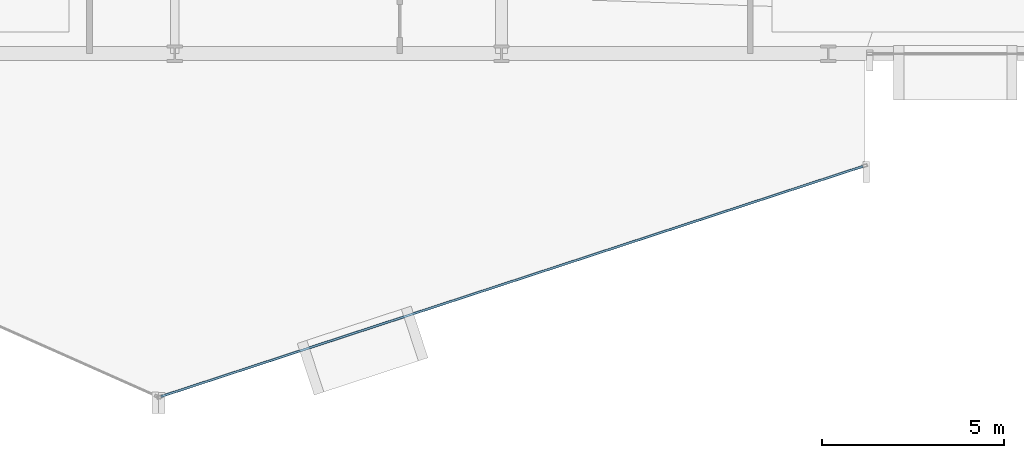
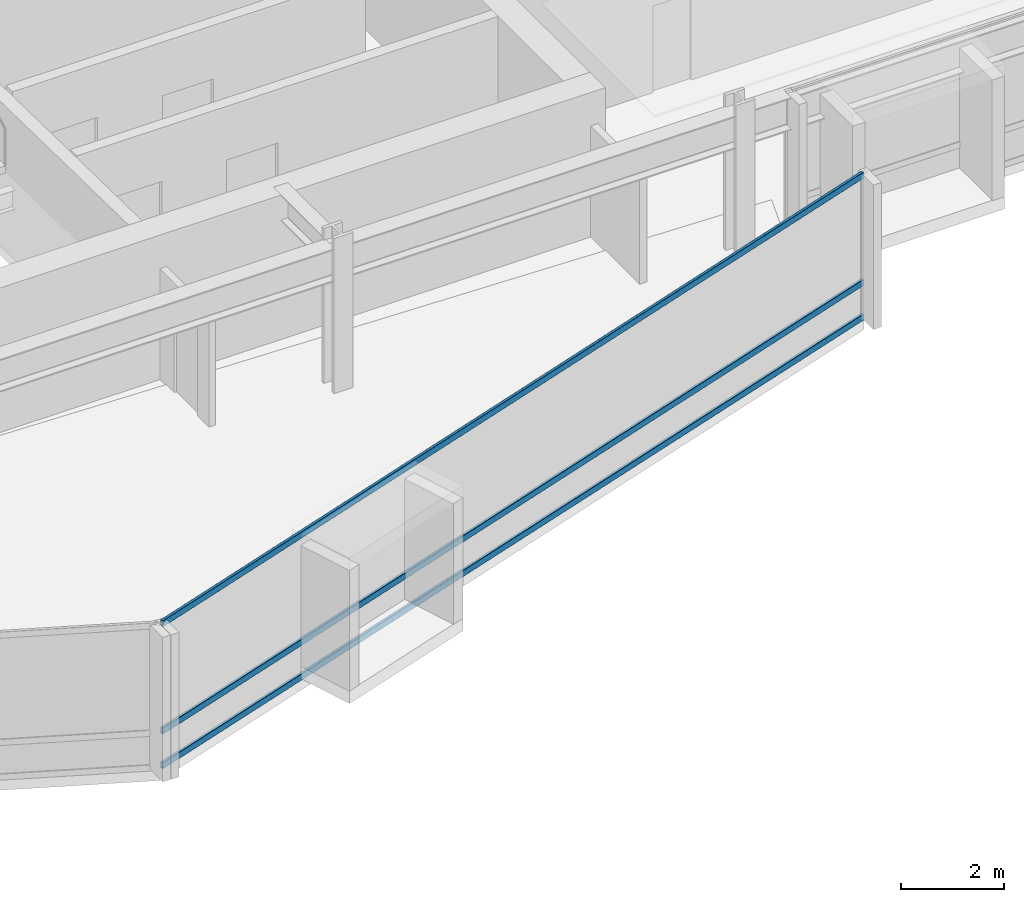
# One storey, part 9 of 34: 3 members, 1 element without a shape of its own.
"""IFC4 building model written with IfcOpenShell, lengths in metres."""

from ifc_helpers import new_model, si_unit, direction, frame, origin, origin_2d, place, context, subcontext, project, spatial, hollow_rectangle, extrude, material, layer, layer_set, material_profile, profile_set, type_object, element, aggregate, save


model = new_model("IFC4")

# Units and contexts
model_context = context("Model", 3, precision=1e-05, world=origin(), true_north=direction((0.0, 1.0)))
body_context = subcontext(model_context, "Body", "Model", "MODEL_VIEW")
ifc_project = project(units=[si_unit("LENGTHUNIT", "METRE"), si_unit("AREAUNIT", "SQUARE_METRE"), si_unit("VOLUMEUNIT", "CUBIC_METRE"), si_unit("PLANEANGLEUNIT", "RADIAN"), si_unit("MASSUNIT", "GRAM", prefix="KILO")], contexts=[model_context])

# Site, building, storey
site_placement = place(None, origin())
site = spatial("IfcSite", under=ifc_project, at=site_placement, CompositionType="ELEMENT")
building_placement = place(site_placement, origin())
building = spatial("IfcBuilding", under=site, at=building_placement, Name="Solvaryn Broadcast Tower", CompositionType="ELEMENT")
storey_placement = place(building_placement, frame((0.0, 0.0, 73.0)))
storey = spatial("IfcBuildingStorey", under=building, at=storey_placement, Name="L17", CompositionType="ELEMENT", Elevation=73.0)

# Curtain wall, members
ifc_material_1 = material(Name="Aluminium and Terracotta Unitised Curtain Wall", Category="masonry")
ifc_layer = layer(ifc_material_1, 0.199951171875)
ifc_layer_set = layer_set([ifc_layer], Name="CW-SYS2-LOWMID")
curtain_wall_type = type_object("IfcCurtainWallType", Name="CW-SYS2-LOWMID", PredefinedType="NOTDEFINED", material=ifc_layer_set)
curtain_wall_placement = place(storey_placement, origin())
curtain_wall = element("IfcCurtainWall", 1, at=curtain_wall_placement, inside=storey, type_object=curtain_wall_type, Name="L17 Curtain Wall DR4", PredefinedType="NOTDEFINED")
ifc_material_2 = material(Name="Anodised Aluminium 6063-T6", Category="aluminium")
ifc_material_profile = material_profile(ifc_material_2, hollow_rectangle(XDim=0.06494140625, YDim=0.14990234375, WallThickness=0.00390625, InnerFilletRadius=0.00390625, OuterFilletRadius=0.008056640625, at=origin_2d()))
ifc_profile_set = profile_set([ifc_material_profile], Name="Anodised Aluminium 6063-T6")
member_type = type_object("IfcMemberType", Name="CW-TRN-150", PredefinedType="USERDEFINED", material=ifc_profile_set)
member_1_placement = place(storey_placement, frame((26.616943359375, -0.4453125, 0.030029296875), z_axis=(0.950216792475, 0.311589549406, 0.0), x_axis=(-0.311589549406, 0.950216792475, 0.0)))
member_1 = element("IfcMember", 2, at=member_1_placement, type_object=member_type, Name="CWS2 transom 1.1", ObjectType="TRANSOM", PredefinedType="USERDEFINED", context=body_context, shape_type="SweptSolid", body=[
    extrude(hollow_rectangle(XDim=0.06494140625, YDim=0.14990234375, WallThickness=0.00390625, InnerFilletRadius=0.00390625, OuterFilletRadius=0.008056640625, at=origin_2d()), origin(), (0.0, 0.0, 1.0), 20.35546875),
])
member_2_placement = place(storey_placement, frame((26.616943359375, -0.4453125, 0.85009765625), z_axis=(0.950216792475, 0.311589549406, 0.0), x_axis=(-0.311589549406, 0.950216792475, 0.0)))
member_2 = element("IfcMember", 3, at=member_2_placement, type_object=member_type, Name="CWS2 transom 1.2", ObjectType="TRANSOM", PredefinedType="USERDEFINED", context=body_context, shape_type="SweptSolid", body=[
    extrude(hollow_rectangle(XDim=0.06494140625, YDim=0.14990234375, WallThickness=0.00390625, InnerFilletRadius=0.00390625, OuterFilletRadius=0.008056640625, at=origin_2d()), origin(), (0.0, 0.0, 1.0), 20.35546875),
])
member_3_placement = place(storey_placement, frame((26.616943359375, -0.4453125, 3.389892578125), z_axis=(0.950216792475, 0.311589549406, 0.0), x_axis=(-0.311589549406, 0.950216792475, 0.0)))
member_3 = element("IfcMember", 4, at=member_3_placement, type_object=member_type, Name="CWS2 transom 1.3", ObjectType="TRANSOM", PredefinedType="USERDEFINED", context=body_context, shape_type="SweptSolid", body=[
    extrude(hollow_rectangle(XDim=0.06494140625, YDim=0.14990234375, WallThickness=0.00390625, InnerFilletRadius=0.00390625, OuterFilletRadius=0.008056640625, at=origin_2d()), origin(), (0.0, 0.0, 1.0), 20.35546875),
])
aggregate(curtain_wall, [member_1, member_2, member_3])

save(model, "model.ifc")
